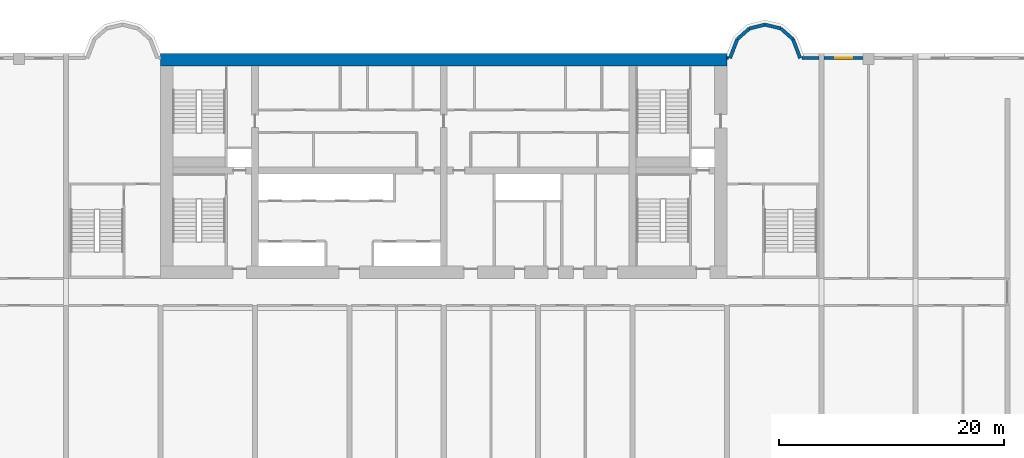
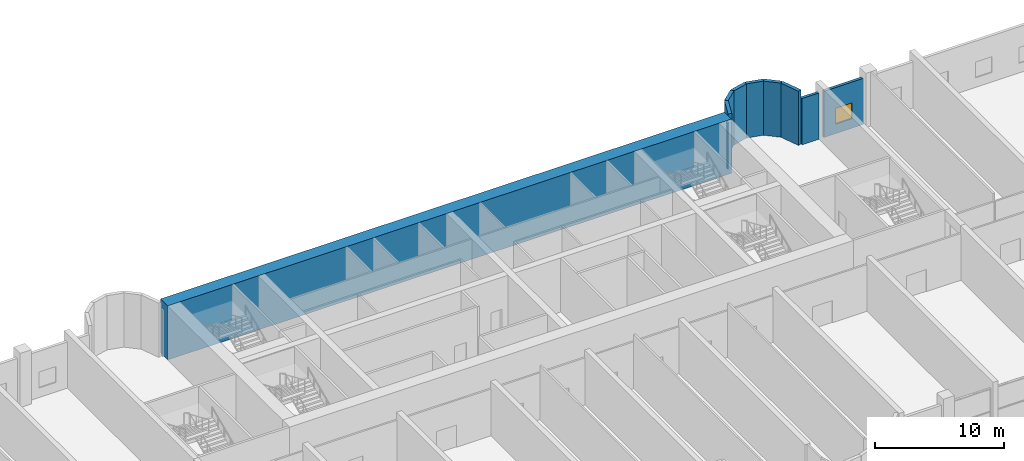
# One storey, part 16 of 20: 10 walls, 1 window, 1 opening.
"""IFC4 building model written with IfcOpenShell, lengths in metres."""

from ifc_helpers import new_model, si_unit, direction, frame, frame_2d, origin, place, context, subcontext, project, spatial, rectangle, extrude, source, transform, mapped, material, layer, layer_set, type_object, element, fill, save


model = new_model("IFC4")

# Units and contexts
model_context = context("Model", 3, precision=1e-05, world=origin(), true_north=direction((0.0, 1.0)))
body_context = subcontext(model_context, "Body", "Model", "MODEL_VIEW")
ifc_project = project(units=[si_unit("LENGTHUNIT", "METRE"), si_unit("AREAUNIT", "SQUARE_METRE"), si_unit("VOLUMEUNIT", "CUBIC_METRE"), si_unit("PLANEANGLEUNIT", "RADIAN"), si_unit("MASSUNIT", "GRAM", prefix="KILO")], contexts=[model_context])

# Site, building, storey
site_placement = place(None, origin())
site = spatial("IfcSite", under=ifc_project, at=site_placement, CompositionType="ELEMENT")
building_placement = place(site_placement, origin())
building = spatial("IfcBuilding", under=site, at=building_placement, Name="Vanashikhar Sky Hotel", CompositionType="ELEMENT")
storey_placement = place(building_placement, frame((0.0, 0.0, 6.0)))
storey = spatial("IfcBuildingStorey", under=building, at=storey_placement, Name="L01", CompositionType="ELEMENT", Elevation=6.0)

# Wall
ifc_material_1 = material(Name="Concrete M80", Category="concrete")
ifc_layer_1 = layer(ifc_material_1, 1.10009765625)
ifc_layer_set_1 = layer_set([ifc_layer_1], Name="RC core shell wall 1100 Concrete M80")
wall_type_1 = type_object("IfcWallType", Name="RC core shell wall 1100 Concrete M80", PredefinedType="SHEAR", material=ifc_layer_set_1)
shared_shape_1 = source(origin(), body_context, "Body", "SweptSolid", [
    extrude(rectangle(XDim=50.400146484375, YDim=1.10009765625, at=frame_2d((25.2001953125, 0.0))), origin(), (0.0, 0.0, 1.0), 5.1201171875),
])
wall_1_placement = place(storey_placement, frame((25.199951171875, 41.449951171875, 0.0), z_axis=(0.0, 0.0, 1.0), x_axis=(1.0, 0.0, 0.0)))
element("IfcWall", 1, at=wall_1_placement, inside=storey, type_object=wall_type_1, Name="KW-L01-KN", PredefinedType="SHEAR", context=body_context, shape_type="MappedRepresentation", body=[
    mapped(shared_shape_1, transform((0.0, 0.0, 0.0), scale=1.0)),
])

# Wall, opening, window
ifc_material_2 = material(Name="Concrete M50", Category="concrete")
ifc_layer_2 = layer(ifc_material_2, 0.25)
ifc_layer_set_2 = layer_set([ifc_layer_2], Name="Rear and end board-marked wall 250")
wall_type_2 = type_object("IfcWallType", Name="Rear and end board-marked wall 250", PredefinedType="SOLIDWALL", material=ifc_layer_set_2)
shared_shape_2 = source(origin(), body_context, "Body", "SweptSolid", [
    extrude(rectangle(XDim=3.52490234375, YDim=0.25, at=frame_2d((1.762451171875, 0.0))), origin(), (0.0, 0.0, 1.0), 4.3701171875),
])
wall_2_placement = place(storey_placement, frame((87.75, 41.625, 0.0), z_axis=(0.0, 0.0, 1.0), x_axis=(-1.0, 0.0, 0.0)))
wall_2 = element("IfcWall", 2, at=wall_2_placement, inside=storey, type_object=wall_type_2, Name="Podium external wall", PredefinedType="SOLIDWALL", context=body_context, shape_type="MappedRepresentation", body=[
    mapped(shared_shape_2, transform((0.0, 0.0, 0.0), scale=1.0)),
])
shared_shape_3 = source(origin(), body_context, "Body", "SweptSolid", [
    extrude(rectangle(XDim=1.5, YDim=1.5, at=frame_2d((0.75, 0.75))), frame((0.0, 0.135009765625, 0.0), z_axis=(0.0, -1.0, 0.0), x_axis=(1.0, 0.0, 0.0)), (0.0, 0.0, 1.0), 0.27001953125),
])
opening_placement = place(wall_2_placement, frame((1.012451171875, 0.0, 0.89990234375)))
opening = element("IfcOpeningElement", 3, at=opening_placement, cuts=wall_2, Name="Opening WN-1", PredefinedType="OPENING", context=body_context, shape_type="MappedRepresentation", body=[
    mapped(shared_shape_3, transform((0.0, 0.0, 0.0), scale=1.0)),
])
ifc_material_3 = material(Name="Glass", Category="glass")
window_type = type_object("IfcWindowType", Name="Window 1500 x 1500", PartitioningType="SINGLE_PANEL", PredefinedType="WINDOW", material=ifc_material_3)
shared_shape_4 = source(origin(), body_context, "Body", "SweptSolid", [
    extrude(rectangle(XDim=1.5, YDim=1.5, at=frame_2d((0.75, 0.75))), frame((0.0, 0.030029296875, 0.0), z_axis=(0.0, -1.0, 0.0), x_axis=(1.0, 0.0, 0.0)), (0.0, 0.0, 1.0), 0.06005859375),
])
window_placement = place(opening_placement, origin())
window = element("IfcWindow", 4, at=window_placement, inside=storey, type_object=window_type, Name="Window WN-1", OverallHeight=1.5, OverallWidth=1.5, PartitioningType="SINGLE_PANEL", PredefinedType="WINDOW", context=body_context, shape_type="MappedRepresentation", body=[
    mapped(shared_shape_4, transform((0.0, 0.0, 0.0), scale=1.0)),
])
fill(opening, window)

# Walls
shared_shape_5 = source(origin(), body_context, "Body", "SweptSolid", [
    extrude(rectangle(XDim=1.5126953125, YDim=0.25, at=frame_2d((0.75634765625, 0.0))), origin(), (0.0, 0.0, 1.0), 4.3701171875),
])
wall_3_placement = place(storey_placement, frame((83.77490234375, 41.625, 0.0), z_axis=(0.0, 0.0, 1.0), x_axis=(-1.0, 0.0, 0.0)))
element("IfcWall", 5, at=wall_3_placement, inside=storey, type_object=wall_type_2, Name="Podium external wall", PredefinedType="SOLIDWALL", context=body_context, shape_type="MappedRepresentation", body=[
    mapped(shared_shape_5, transform((0.0, 0.0, 0.0), scale=1.0)),
])
ifc_layer_3 = layer(ifc_material_2, 0.300048828125)
ifc_layer_set_3 = layer_set([ifc_layer_3], Name="Lobe wall 300")
wall_type_3 = type_object("IfcWallType", Name="Lobe wall 300", PredefinedType="SOLIDWALL", material=ifc_layer_set_3)
shared_shape_6 = source(origin(), body_context, "Body", "SweptSolid", [
    extrude(rectangle(XDim=1.81201171875, YDim=0.300048828125, at=frame_2d((0.906005859375, 0.0))), origin(), (0.0, 0.0, 1.0), 5.1201171875),
])
for number, where, z_axis, x_axis, name in (
    (6, (82.125, 41.60009765625, 0.0), (0.0, 0.0, 1.0), (-0.357877270961, 0.93376863244, 0.0), "Lobe wall"),
    (7, (76.5234375, 43.2919921875, 0.0), (0.0, 0.0, 1.0), (-0.357877270961, -0.93376863244, 0.0), "Lobe wall"),
):
    element("IfcWall", number, at=place(storey_placement, frame(where, z_axis=z_axis, x_axis=x_axis)), inside=storey, type_object=wall_type_3, Name=name, PredefinedType="SOLIDWALL", context=body_context, shape_type="MappedRepresentation", body=[
        mapped(shared_shape_6, transform((0.0, 0.0, 0.0), scale=1.0)),
    ])
shared_shape_7 = source(origin(), body_context, "Body", "SweptSolid", [
    extrude(rectangle(XDim=1.43994140625, YDim=0.300048828125, at=frame_2d((0.719970703125, 0.0))), origin(), (0.0, 0.0, 1.0), 5.1201171875),
])
for number, where, z_axis, x_axis, name in (
    (8, (81.4765625, 43.2919921875, 0.0), (0.0, 0.0, 1.0), (-0.74957555648, 0.661918790432, 0.0), "Lobe wall"),
    (9, (77.602783203125, 44.2451171875, 0.0), (0.0, 0.0, 1.0), (-0.74957555648, -0.661918790432, 0.0), "Lobe wall"),
):
    element("IfcWall", number, at=place(storey_placement, frame(where, z_axis=z_axis, x_axis=x_axis)), inside=storey, type_object=wall_type_3, Name=name, PredefinedType="SOLIDWALL", context=body_context, shape_type="MappedRepresentation", body=[
        mapped(shared_shape_7, transform((0.0, 0.0, 0.0), scale=1.0)),
    ])
shared_shape_8 = source(origin(), body_context, "Body", "SweptSolid", [
    extrude(rectangle(XDim=1.438720703125, YDim=0.300048828125, at=frame_2d((0.71923828125, 0.0))), origin(), (0.0, 0.0, 1.0), 5.1201171875),
])
for number, where, z_axis, x_axis, name in (
    (10, (80.397216796875, 44.2451171875, 0.0), (0.0, 0.0, 1.0), (-0.971161932466, 0.238420848351, 0.0), "Lobe wall"),
    (11, (79.0, 44.588134765625, 0.0), (0.0, 0.0, 1.0), (-0.971161932466, -0.238420848351, 0.0), "Lobe wall"),
):
    element("IfcWall", number, at=place(storey_placement, frame(where, z_axis=z_axis, x_axis=x_axis)), inside=storey, type_object=wall_type_3, Name=name, PredefinedType="SOLIDWALL", context=body_context, shape_type="MappedRepresentation", body=[
        mapped(shared_shape_8, transform((0.0, 0.0, 0.0), scale=1.0)),
    ])
shared_shape_9 = source(origin(), body_context, "Body", "SweptSolid", [
    extrude(rectangle(XDim=0.1376953125, YDim=0.25, at=frame_2d((0.06884765625, 0.0))), origin(), (0.0, 0.0, 1.0), 4.3701171875),
])
wall_4_placement = place(storey_placement, frame((75.73779296875, 41.625, 0.0), z_axis=(0.0, 0.0, 1.0), x_axis=(-1.0, 0.0, 0.0)))
element("IfcWall", 12, at=wall_4_placement, inside=storey, type_object=wall_type_2, Name="Podium external wall", PredefinedType="SOLIDWALL", context=body_context, shape_type="MappedRepresentation", body=[
    mapped(shared_shape_9, transform((0.0, 0.0, 0.0), scale=1.0)),
])

save(model, "model.ifc")
